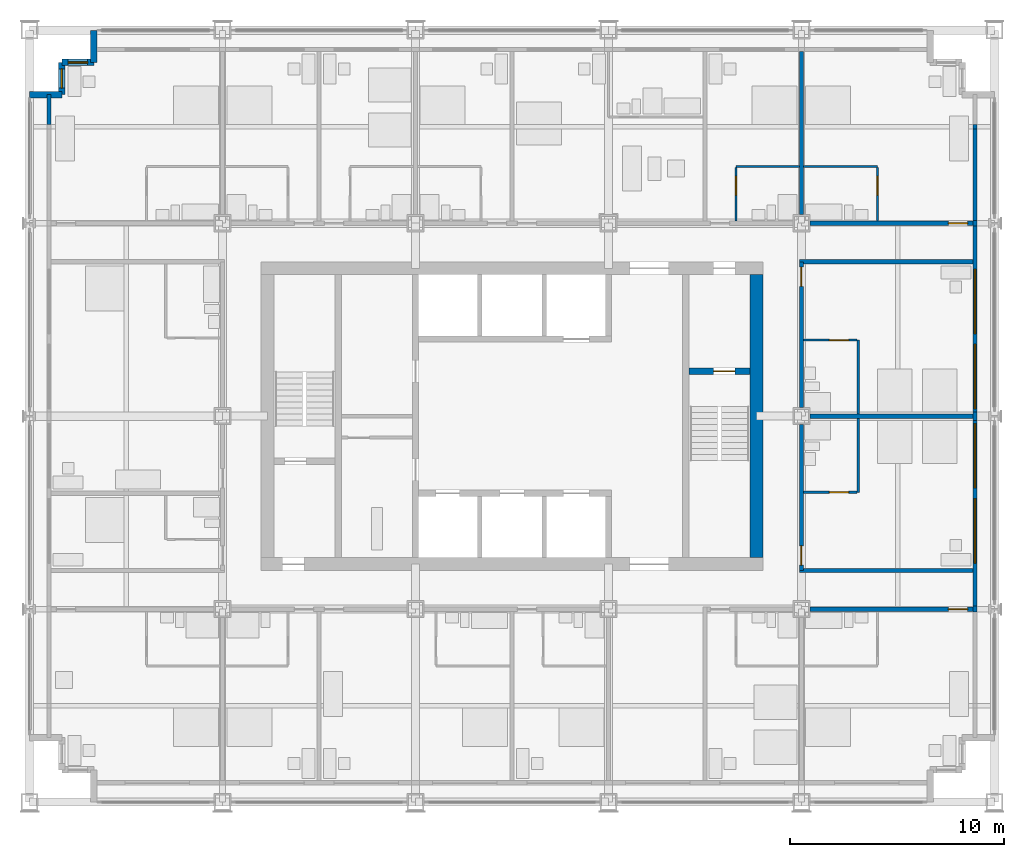
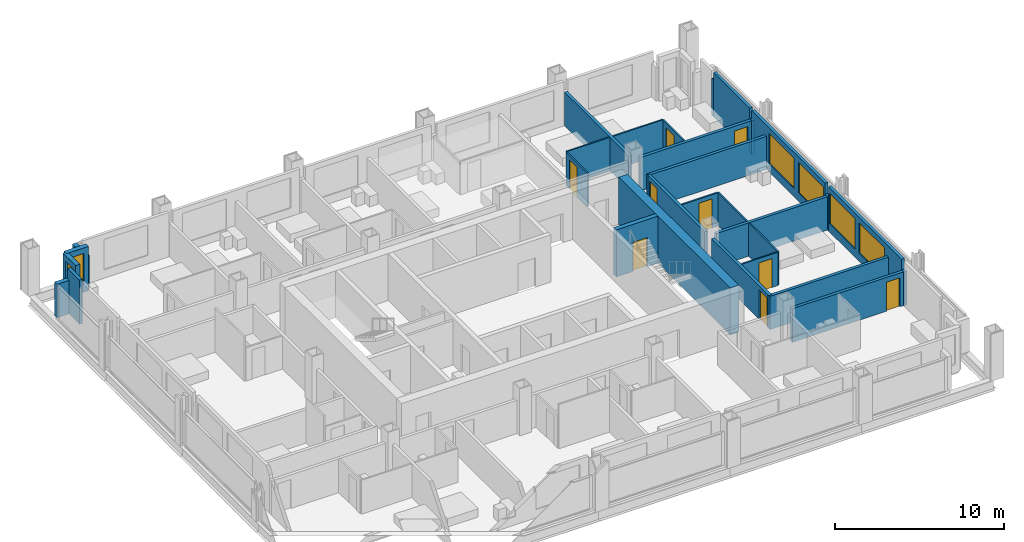
# One storey, part 12 of 16: 30 walls, 9 doors, 6 windows, 15 openings.
"""IFC4 building model written with IfcOpenShell, lengths in metres."""

from ifc_helpers import new_model, si_unit, direction, frame, frame_2d, origin, place, context, subcontext, project, spatial, rectangle, extrude, material, layer, layer_set, type_object, element, fill, save


model = new_model("IFC4")

# Units and contexts
model_context = context("Model", 3, precision=1e-05, world=origin(), true_north=direction((0.0, 1.0)))
body_context = subcontext(model_context, "Body", "Model", "MODEL_VIEW")
ifc_project = project(units=[si_unit("LENGTHUNIT", "METRE"), si_unit("AREAUNIT", "SQUARE_METRE"), si_unit("VOLUMEUNIT", "CUBIC_METRE"), si_unit("PLANEANGLEUNIT", "RADIAN"), si_unit("MASSUNIT", "GRAM", prefix="KILO")], contexts=[model_context])

# Site, building, storey
site_placement = place(None, origin())
site = spatial("IfcSite", under=ifc_project, at=site_placement, CompositionType="ELEMENT")
building_placement = place(site_placement, origin())
building = spatial("IfcBuilding", under=site, at=building_placement, Name="Loomwork Tower", CompositionType="ELEMENT")
storey_placement = place(building_placement, frame((0.0, 0.0, 104.39990234375)))
storey = spatial("IfcBuildingStorey", under=building, at=storey_placement, Name="L27", CompositionType="ELEMENT", Elevation=104.39990234375)

# Wall, opening, door
ifc_material_1 = material(Name="Concrete 14000 psi (97 MPa)", Category="concrete")
ifc_layer_1 = layer(ifc_material_1, 0.300048828125)
ifc_layer_set_1 = layer_set([ifc_layer_1], Name="Core shear wall 300")
wall_type_1 = type_object("IfcWallType", Name="Core shear wall 300", PredefinedType="SHEAR", material=ifc_layer_set_1)
wall_1_placement = place(storey_placement, frame((30.75, 20.10009765625, 0.0), z_axis=(0.0, 0.0, 1.0), x_axis=(1.0, 0.0, 0.0)))
wall_1 = element("IfcWall", 1, at=wall_1_placement, inside=storey, type_object=wall_type_1, Name="Stair B north wall L27", PredefinedType="SHEAR", context=body_context, shape_type="SweptSolid", body=[
    extrude(rectangle(XDim=2.85009765625, YDim=0.300048828125, at=frame_2d((1.425048828125, 0.0))), origin(), (0.0, 0.0, 1.0), 3.400146484375),
])
opening_1_placement = place(wall_1_placement, frame((1.14990234375, 0.0, 0.0)))
opening_1 = element("IfcOpeningElement", 2, at=opening_1_placement, cuts=wall_1, Name="Opening D4", PredefinedType="OPENING", context=body_context, shape_type="SweptSolid", body=[
    extrude(rectangle(XDim=1.0, YDim=2.10009765625, at=frame_2d((0.5, 1.050048828125))), frame((0.0, 0.159912109375, 0.0), z_axis=(0.0, -1.0, 0.0), x_axis=(1.0, 0.0, 0.0)), (0.0, 0.0, 1.0), 0.320068359375),
])
ifc_material_2 = material(Name="Hollow metal door and frame")
door_type_1 = type_object("IfcDoorType", Name="Stair door 1000", OperationType="SINGLE_SWING_RIGHT", PredefinedType="DOOR", material=ifc_material_2)
door_1_placement = place(opening_1_placement, frame((1.0, 0.0, 0.0), z_axis=(0.0, 0.0, 1.0), x_axis=(-1.0, 0.0, 0.0)))
door_1 = element("IfcDoor", 3, at=door_1_placement, inside=storey, type_object=door_type_1, Name="Stair B door", OperationType="SINGLE_SWING_LEFT", OverallHeight=2.10009765625, OverallWidth=1.0, PredefinedType="DOOR", context=body_context, shape_type="SweptSolid", body=[
    extrude(rectangle(XDim=1.0, YDim=2.10009765625, at=frame_2d((0.5, 1.050048828125))), frame((0.0, 0.02490234375, 0.0), z_axis=(0.0, -1.0, 0.0), x_axis=(1.0, 0.0, 0.0)), (0.0, 0.0, 1.0), 0.050048828125),
])
fill(opening_1, door_1)

# Wall
ifc_material_3 = material(Name="Concrete 14000 psi (97 MPa)", Category="concrete")
ifc_layer_2 = layer(ifc_material_3, 0.60009765625)
ifc_layer_set_2 = layer_set([ifc_layer_2], Name="Core shear wall 600")
wall_type_2 = type_object("IfcWallType", Name="Core shear wall 600", PredefinedType="SHEAR", material=ifc_layer_set_2)
wall_2_placement = place(storey_placement, frame((33.89990234375, 11.39990234375, 0.0), z_axis=(0.0, 0.0, 1.0), x_axis=(0.0, 1.0, 0.0)))
element("IfcWall", 4, at=wall_2_placement, inside=storey, type_object=wall_type_2, Name="Core wall east L27", PredefinedType="SHEAR", context=body_context, shape_type="SweptSolid", body=[
    extrude(rectangle(XDim=13.2001953125, YDim=0.60009765625, at=frame_2d((6.60009765625, 0.0))), origin(), (0.0, 0.0, 1.0), 3.400146484375),
])

# Wall, opening, door
ifc_material_4 = material(Name="Gypsum board on steel studs, one-hour", Category="steel")
ifc_layer_3 = layer(ifc_material_4, 0.199951171875)
ifc_layer_set_3 = layer_set([ifc_layer_3], Name="Corridor wall 200")
wall_type_3 = type_object("IfcWallType", Name="Corridor wall 200", PredefinedType="PARTITIONING", material=ifc_layer_set_3)
wall_3_placement = place(storey_placement, frame((36.39990234375, 9.0, 0.0), z_axis=(0.0, 0.0, 1.0), x_axis=(1.0, 0.0, 0.0)))
wall_3 = element("IfcWall", 5, at=wall_3_placement, inside=storey, type_object=wall_type_3, Name="South corridor wall 5", PredefinedType="PARTITIONING", context=body_context, shape_type="SweptSolid", body=[
    extrude(rectangle(XDim=7.60009765625, YDim=0.199951171875, at=frame_2d((3.800048828125, 0.0))), origin(), (0.0, 0.0, 1.0), 2.43798828125),
])
opening_2_placement = place(wall_3_placement, frame((6.449951171875, 0.0, 0.0)))
opening_2 = element("IfcOpeningElement", 6, at=opening_2_placement, cuts=wall_3, Name="Opening D1", PredefinedType="OPENING", context=body_context, shape_type="SweptSolid", body=[
    extrude(rectangle(XDim=0.89990234375, YDim=2.10009765625, at=frame_2d((0.449951171875, 1.050048828125))), frame((0.0, 0.10986328125, 0.0), z_axis=(0.0, -1.0, 0.0), x_axis=(1.0, 0.0, 0.0)), (0.0, 0.0, 1.0), 0.219970703125),
])
ifc_material_5 = material(Name="Hollow metal door and frame")
door_type_2 = type_object("IfcDoorType", Name="Guest room entry door 900", OperationType="SINGLE_SWING_LEFT", PredefinedType="DOOR", material=ifc_material_5)
door_2_placement = place(opening_2_placement, frame((0.89990234375, 0.0, 0.0), z_axis=(0.0, 0.0, 1.0), x_axis=(-1.0, 0.0, 0.0)))
door_2 = element("IfcDoor", 7, at=door_2_placement, inside=storey, type_object=door_type_2, Name="Guest room entry door L27 6", OperationType="SINGLE_SWING_LEFT", OverallHeight=2.10009765625, OverallWidth=0.89990234375, PredefinedType="DOOR", context=body_context, shape_type="SweptSolid", body=[
    extrude(rectangle(XDim=0.89990234375, YDim=2.10009765625, at=frame_2d((0.449951171875, 1.050048828125))), frame((0.0, 0.02490234375, 0.0), z_axis=(0.0, -1.0, 0.0), x_axis=(1.0, 0.0, 0.0)), (0.0, 0.0, 1.0), 0.050048828125),
])
fill(opening_2, door_2)

wall_4_placement = place(storey_placement, frame((36.39990234375, 27.0, 0.0), z_axis=(0.0, 0.0, 1.0), x_axis=(1.0, 0.0, 0.0)))
wall_4 = element("IfcWall", 8, at=wall_4_placement, inside=storey, type_object=wall_type_3, Name="North corridor wall 5", PredefinedType="PARTITIONING", context=body_context, shape_type="SweptSolid", body=[
    extrude(rectangle(XDim=7.60009765625, YDim=0.199951171875, at=frame_2d((3.800048828125, 0.0))), origin(), (0.0, 0.0, 1.0), 2.43798828125),
])
opening_3_placement = place(wall_4_placement, frame((6.449951171875, 0.0, 0.0)))
opening_3 = element("IfcOpeningElement", 9, at=opening_3_placement, cuts=wall_4, Name="Opening D1", PredefinedType="OPENING", context=body_context, shape_type="SweptSolid", body=[
    extrude(rectangle(XDim=0.89990234375, YDim=2.10009765625, at=frame_2d((0.449951171875, 1.050048828125))), frame((0.0, 0.10986328125, 0.0), z_axis=(0.0, -1.0, 0.0), x_axis=(1.0, 0.0, 0.0)), (0.0, 0.0, 1.0), 0.219970703125),
])
door_3_placement = place(opening_3_placement, origin())
door_3 = element("IfcDoor", 10, at=door_3_placement, inside=storey, type_object=door_type_2, Name="Guest room entry door L27 13", OperationType="SINGLE_SWING_RIGHT", OverallHeight=2.10009765625, OverallWidth=0.89990234375, PredefinedType="DOOR", context=body_context, shape_type="SweptSolid", body=[
    extrude(rectangle(XDim=0.89990234375, YDim=2.10009765625, at=frame_2d((0.449951171875, 1.050048828125))), frame((0.0, 0.02490234375, 0.0), z_axis=(0.0, -1.0, 0.0), x_axis=(1.0, 0.0, 0.0)), (0.0, 0.0, 1.0), 0.050048828125),
])
fill(opening_3, door_3)

wall_5_placement = place(storey_placement, frame((36.0, 10.800048828125, 0.0), z_axis=(0.0, 0.0, 1.0), x_axis=(0.0, 1.0, 0.0)))
wall_5 = element("IfcWall", 11, at=wall_5_placement, inside=storey, type_object=wall_type_3, Name="East corridor wall 1", PredefinedType="PARTITIONING", context=body_context, shape_type="SweptSolid", body=[
    extrude(rectangle(XDim=6.800048828125, YDim=0.199951171875, at=frame_2d((3.39990234375, 0.0))), origin(), (0.0, 0.0, 1.0), 2.405029296875),
])
opening_4_placement = place(wall_5_placement, frame((0.25, 0.0, 0.0)))
opening_4 = element("IfcOpeningElement", 12, at=opening_4_placement, cuts=wall_5, Name="Opening D1", PredefinedType="OPENING", context=body_context, shape_type="SweptSolid", body=[
    extrude(rectangle(XDim=0.89990234375, YDim=2.10009765625, at=frame_2d((0.449951171875, 1.050048828125))), frame((0.0, 0.10986328125, 0.0), z_axis=(0.0, -1.0, 0.0), x_axis=(1.0, 0.0, 0.0)), (0.0, 0.0, 1.0), 0.219970703125),
])
door_4_placement = place(opening_4_placement, frame((0.89990234375, 0.0, 0.0), z_axis=(0.0, 0.0, 1.0), x_axis=(-1.0, 0.0, 0.0)))
door_4 = element("IfcDoor", 13, at=door_4_placement, inside=storey, type_object=door_type_2, Name="Guest room entry door L27 16", OperationType="SINGLE_SWING_RIGHT", OverallHeight=2.10009765625, OverallWidth=0.89990234375, PredefinedType="DOOR", context=body_context, shape_type="SweptSolid", body=[
    extrude(rectangle(XDim=0.89990234375, YDim=2.10009765625, at=frame_2d((0.449951171875, 1.050048828125))), frame((0.0, 0.02490234375, 0.0), z_axis=(0.0, -1.0, 0.0), x_axis=(1.0, 0.0, 0.0)), (0.0, 0.0, 1.0), 0.050048828125),
])
fill(opening_4, door_4)

wall_6_placement = place(storey_placement, frame((36.0, 18.39990234375, 0.0), z_axis=(0.0, 0.0, 1.0), x_axis=(0.0, 1.0, 0.0)))
wall_6 = element("IfcWall", 14, at=wall_6_placement, inside=storey, type_object=wall_type_3, Name="East corridor wall 2", PredefinedType="PARTITIONING", context=body_context, shape_type="SweptSolid", body=[
    extrude(rectangle(XDim=6.800048828125, YDim=0.199951171875, at=frame_2d((3.39990234375, 0.0))), origin(), (0.0, 0.0, 1.0), 2.405029296875),
])
opening_5_placement = place(wall_6_placement, frame((5.64990234375, 0.0, 0.0)))
opening_5 = element("IfcOpeningElement", 15, at=opening_5_placement, cuts=wall_6, Name="Opening D1", PredefinedType="OPENING", context=body_context, shape_type="SweptSolid", body=[
    extrude(rectangle(XDim=0.89990234375, YDim=2.10009765625, at=frame_2d((0.449951171875, 1.050048828125))), frame((0.0, 0.10986328125, 0.0), z_axis=(0.0, -1.0, 0.0), x_axis=(1.0, 0.0, 0.0)), (0.0, 0.0, 1.0), 0.219970703125),
])
door_5_placement = place(opening_5_placement, frame((0.89990234375, 0.0, 0.0), z_axis=(0.0, 0.0, 1.0), x_axis=(-1.0, 0.0, 0.0)))
door_5 = element("IfcDoor", 16, at=door_5_placement, inside=storey, type_object=door_type_2, Name="Guest room entry door L27 17", OperationType="SINGLE_SWING_LEFT", OverallHeight=2.10009765625, OverallWidth=0.89990234375, PredefinedType="DOOR", context=body_context, shape_type="SweptSolid", body=[
    extrude(rectangle(XDim=0.89990234375, YDim=2.10009765625, at=frame_2d((0.449951171875, 1.050048828125))), frame((0.0, 0.02490234375, 0.0), z_axis=(0.0, -1.0, 0.0), x_axis=(1.0, 0.0, 0.0)), (0.0, 0.0, 1.0), 0.050048828125),
])
fill(opening_5, door_5)

# Walls
for number, where, z_axis, x_axis, name in (
    (17, (35.89990234375, 10.800048828125, 0.0), (0.0, 0.0, 1.0), (1.0, 0.0, 0.0), "East band end wall S"),
    (18, (35.89990234375, 25.199951171875, 0.0), (0.0, 0.0, 1.0), (1.0, 0.0, 0.0), "East band end wall N"),
):
    element("IfcWall", number, at=place(storey_placement, frame(where, z_axis=z_axis, x_axis=x_axis)), inside=storey, type_object=wall_type_3, Name=name, PredefinedType="PARTITIONING", context=body_context, shape_type="SweptSolid", body=[
        extrude(rectangle(XDim=8.10009765625, YDim=0.199951171875, at=frame_2d((4.050048828125, 0.0))), origin(), (0.0, 0.0, 1.0), 2.404052734375),
    ])
ifc_material_6 = material(Name="Cement board on steel studs", Category="steel")
ifc_layer_4 = layer(ifc_material_6, 0.10009765625)
ifc_layer_set_4 = layer_set([ifc_layer_4], Name="En-suite partition 100")
wall_type_4 = type_object("IfcWallType", Name="En-suite partition 100", PredefinedType="PARTITIONING", material=ifc_layer_set_4)
wall_7_placement = place(storey_placement, frame((32.949951171875, 29.64990234375, 0.0), z_axis=(0.0, 0.0, 1.0), x_axis=(1.0, 0.0, 0.0)))
element("IfcWall", 19, at=wall_7_placement, inside=storey, type_object=wall_type_4, Name="En-suite wall L27 room 12", PredefinedType="PARTITIONING", context=body_context, shape_type="SweptSolid", body=[
    extrude(rectangle(XDim=2.949951171875, YDim=0.10009765625, at=frame_2d((1.47509765625, 0.0))), origin(), (0.0, 0.0, 1.0), 2.43798828125),
])

# Wall, opening, door
wall_8_placement = place(storey_placement, frame((32.949951171875, 27.10009765625, 0.0), z_axis=(0.0, 0.0, 1.0), x_axis=(0.0, 1.0, 0.0)))
wall_8 = element("IfcWall", 20, at=wall_8_placement, inside=storey, type_object=wall_type_4, Name="En-suite side wall L27 room 12", PredefinedType="PARTITIONING", context=body_context, shape_type="SweptSolid", body=[
    extrude(rectangle(XDim=2.5, YDim=0.10009765625, at=frame_2d((1.25, 0.0))), origin(), (0.0, 0.0, 1.0), 2.404052734375),
])
opening_6_placement = place(wall_8_placement, frame((1.199951171875, 0.0, 0.0)))
opening_6 = element("IfcOpeningElement", 21, at=opening_6_placement, cuts=wall_8, Name="Opening D2", PredefinedType="OPENING", context=body_context, shape_type="SweptSolid", body=[
    extrude(rectangle(XDim=0.89990234375, YDim=2.10009765625, at=frame_2d((0.449951171875, 1.050048828125))), frame((0.0, 0.06005859375, 0.0), z_axis=(0.0, -1.0, 0.0), x_axis=(1.0, 0.0, 0.0)), (0.0, 0.0, 1.0), 0.1201171875),
])
ifc_material_7 = material(Name="Hollow metal door and frame")
door_type_3 = type_object("IfcDoorType", Name="En-suite door 900", OperationType="SINGLE_SWING_LEFT", PredefinedType="DOOR", material=ifc_material_7)
door_6_placement = place(opening_6_placement, frame((0.89990234375, 0.0, 0.0), z_axis=(0.0, 0.0, 1.0), x_axis=(-1.0, 0.0, 0.0)))
door_6 = element("IfcDoor", 22, at=door_6_placement, inside=storey, type_object=door_type_3, Name="En-suite door room 12", OperationType="SINGLE_SWING_LEFT", OverallHeight=2.10009765625, OverallWidth=0.89990234375, PredefinedType="DOOR", context=body_context, shape_type="SweptSolid", body=[
    extrude(rectangle(XDim=0.89990234375, YDim=2.10009765625, at=frame_2d((0.449951171875, 1.050048828125))), frame((0.0, 0.02490234375, 0.0), z_axis=(0.0, -1.0, 0.0), x_axis=(1.0, 0.0, 0.0)), (0.0, 0.0, 1.0), 0.050048828125),
])
fill(opening_6, door_6)

# Wall
wall_9_placement = place(storey_placement, frame((36.10009765625, 29.64990234375, 0.0), z_axis=(0.0, 0.0, 1.0), x_axis=(1.0, 0.0, 0.0)))
element("IfcWall", 23, at=wall_9_placement, inside=storey, type_object=wall_type_4, Name="En-suite wall L27 room 13", PredefinedType="PARTITIONING", context=body_context, shape_type="SweptSolid", body=[
    extrude(rectangle(XDim=3.449951171875, YDim=0.10009765625, at=frame_2d((1.72509765625, 0.0))), origin(), (0.0, 0.0, 1.0), 2.43798828125),
])

# Wall, opening, door
wall_10_placement = place(storey_placement, frame((39.550048828125, 27.10009765625, 0.0), z_axis=(0.0, 0.0, 1.0), x_axis=(0.0, 1.0, 0.0)))
wall_10 = element("IfcWall", 24, at=wall_10_placement, inside=storey, type_object=wall_type_4, Name="En-suite side wall L27 room 13", PredefinedType="PARTITIONING", context=body_context, shape_type="SweptSolid", body=[
    extrude(rectangle(XDim=2.5, YDim=0.10009765625, at=frame_2d((1.25, 0.0))), origin(), (0.0, 0.0, 1.0), 2.43798828125),
])
opening_7_placement = place(wall_10_placement, frame((1.199951171875, 0.0, 0.0)))
opening_7 = element("IfcOpeningElement", 25, at=opening_7_placement, cuts=wall_10, Name="Opening D2", PredefinedType="OPENING", context=body_context, shape_type="SweptSolid", body=[
    extrude(rectangle(XDim=0.89990234375, YDim=2.10009765625, at=frame_2d((0.449951171875, 1.050048828125))), frame((0.0, 0.06005859375, 0.0), z_axis=(0.0, -1.0, 0.0), x_axis=(1.0, 0.0, 0.0)), (0.0, 0.0, 1.0), 0.1201171875),
])
door_7_placement = place(opening_7_placement, origin())
door_7 = element("IfcDoor", 26, at=door_7_placement, inside=storey, type_object=door_type_3, Name="En-suite door room 13", OperationType="SINGLE_SWING_RIGHT", OverallHeight=2.10009765625, OverallWidth=0.89990234375, PredefinedType="DOOR", context=body_context, shape_type="SweptSolid", body=[
    extrude(rectangle(XDim=0.89990234375, YDim=2.10009765625, at=frame_2d((0.449951171875, 1.050048828125))), frame((0.0, 0.02490234375, 0.0), z_axis=(0.0, -1.0, 0.0), x_axis=(1.0, 0.0, 0.0)), (0.0, 0.0, 1.0), 0.050048828125),
])
fill(opening_7, door_7)

# Wall
wall_11_placement = place(storey_placement, frame((38.64990234375, 14.449951171875, 0.0), z_axis=(0.0, 0.0, 1.0), x_axis=(0.0, 1.0, 0.0)))
element("IfcWall", 27, at=wall_11_placement, inside=storey, type_object=wall_type_4, Name="En-suite wall L27 room 16", PredefinedType="PARTITIONING", context=body_context, shape_type="SweptSolid", body=[
    extrude(rectangle(XDim=3.449951171875, YDim=0.10009765625, at=frame_2d((1.72509765625, 0.0))), origin(), (0.0, 0.0, 1.0), 2.404052734375),
])

# Wall, opening, door
wall_12_placement = place(storey_placement, frame((36.10009765625, 14.449951171875, 0.0), z_axis=(0.0, 0.0, 1.0), x_axis=(1.0, 0.0, 0.0)))
wall_12 = element("IfcWall", 28, at=wall_12_placement, inside=storey, type_object=wall_type_4, Name="En-suite side wall L27 room 16", PredefinedType="PARTITIONING", context=body_context, shape_type="SweptSolid", body=[
    extrude(rectangle(XDim=2.5, YDim=0.10009765625, at=frame_2d((1.25, 0.0))), origin(), (0.0, 0.0, 1.0), 2.404052734375),
])
opening_8_placement = place(wall_12_placement, frame((1.199951171875, 0.0, 0.0)))
opening_8 = element("IfcOpeningElement", 29, at=opening_8_placement, cuts=wall_12, Name="Opening D2", PredefinedType="OPENING", context=body_context, shape_type="SweptSolid", body=[
    extrude(rectangle(XDim=0.89990234375, YDim=2.10009765625, at=frame_2d((0.449951171875, 1.050048828125))), frame((0.0, 0.06005859375, 0.0), z_axis=(0.0, -1.0, 0.0), x_axis=(1.0, 0.0, 0.0)), (0.0, 0.0, 1.0), 0.1201171875),
])
door_8_placement = place(opening_8_placement, origin())
door_8 = element("IfcDoor", 30, at=door_8_placement, inside=storey, type_object=door_type_3, Name="En-suite door room 16", OperationType="SINGLE_SWING_RIGHT", OverallHeight=2.10009765625, OverallWidth=0.89990234375, PredefinedType="DOOR", context=body_context, shape_type="SweptSolid", body=[
    extrude(rectangle(XDim=0.89990234375, YDim=2.10009765625, at=frame_2d((0.449951171875, 1.050048828125))), frame((0.0, 0.02490234375, 0.0), z_axis=(0.0, -1.0, 0.0), x_axis=(1.0, 0.0, 0.0)), (0.0, 0.0, 1.0), 0.050048828125),
])
fill(opening_8, door_8)

# Wall
wall_13_placement = place(storey_placement, frame((38.64990234375, 18.10009765625, 0.0), z_axis=(0.0, 0.0, 1.0), x_axis=(0.0, 1.0, 0.0)))
element("IfcWall", 31, at=wall_13_placement, inside=storey, type_object=wall_type_4, Name="En-suite wall L27 room 17", PredefinedType="PARTITIONING", context=body_context, shape_type="SweptSolid", body=[
    extrude(rectangle(XDim=3.449951171875, YDim=0.10009765625, at=frame_2d((1.72509765625, 0.0))), origin(), (0.0, 0.0, 1.0), 2.404052734375),
])

# Wall, opening, door
wall_14_placement = place(storey_placement, frame((36.10009765625, 21.550048828125, 0.0), z_axis=(0.0, 0.0, 1.0), x_axis=(1.0, 0.0, 0.0)))
wall_14 = element("IfcWall", 32, at=wall_14_placement, inside=storey, type_object=wall_type_4, Name="En-suite side wall L27 room 17", PredefinedType="PARTITIONING", context=body_context, shape_type="SweptSolid", body=[
    extrude(rectangle(XDim=2.5, YDim=0.10009765625, at=frame_2d((1.25, 0.0))), origin(), (0.0, 0.0, 1.0), 2.404052734375),
])
opening_9_placement = place(wall_14_placement, frame((1.199951171875, 0.0, 0.0)))
opening_9 = element("IfcOpeningElement", 33, at=opening_9_placement, cuts=wall_14, Name="Opening D2", PredefinedType="OPENING", context=body_context, shape_type="SweptSolid", body=[
    extrude(rectangle(XDim=0.89990234375, YDim=2.10009765625, at=frame_2d((0.449951171875, 1.050048828125))), frame((0.0, 0.06005859375, 0.0), z_axis=(0.0, -1.0, 0.0), x_axis=(1.0, 0.0, 0.0)), (0.0, 0.0, 1.0), 0.1201171875),
])
door_9_placement = place(opening_9_placement, frame((0.89990234375, 0.0, 0.0), z_axis=(0.0, 0.0, 1.0), x_axis=(-1.0, 0.0, 0.0)))
door_9 = element("IfcDoor", 34, at=door_9_placement, inside=storey, type_object=door_type_3, Name="En-suite door room 17", OperationType="SINGLE_SWING_LEFT", OverallHeight=2.10009765625, OverallWidth=0.89990234375, PredefinedType="DOOR", context=body_context, shape_type="SweptSolid", body=[
    extrude(rectangle(XDim=0.89990234375, YDim=2.10009765625, at=frame_2d((0.449951171875, 1.050048828125))), frame((0.0, 0.02490234375, 0.0), z_axis=(0.0, -1.0, 0.0), x_axis=(1.0, 0.0, 0.0)), (0.0, 0.0, 1.0), 0.050048828125),
])
fill(opening_9, door_9)

# Walls
ifc_material_8 = material(Name="Gypsum board on steel studs, acoustic", Category="steel")
ifc_layer_5 = layer(ifc_material_8, 0.199951171875)
ifc_layer_set_5 = layer_set([ifc_layer_5], Name="Guest room party wall 200")
wall_type_5 = type_object("IfcWallType", Name="Guest room party wall 200", PredefinedType="PARTITIONING", material=ifc_layer_set_5)
wall_15_placement = place(storey_placement, frame((36.0, 27.39990234375, 0.0), z_axis=(0.0, 0.0, 1.0), x_axis=(0.0, 1.0, 0.0)))
element("IfcWall", 35, at=wall_15_placement, inside=storey, type_object=wall_type_5, Name="Guest room party wall N 36", PredefinedType="PARTITIONING", context=body_context, shape_type="SweptSolid", body=[
    extrude(rectangle(XDim=7.60009765625, YDim=0.199951171875, at=frame_2d((3.800048828125, 0.0))), origin(), (0.0, 0.0, 1.0), 2.43798828125),
])
wall_16_placement = place(storey_placement, frame((36.39990234375, 18.0, 0.0), z_axis=(0.0, 0.0, 1.0), x_axis=(1.0, 0.0, 0.0)))
element("IfcWall", 36, at=wall_16_placement, inside=storey, type_object=wall_type_5, Name="Guest room party wall E 18", PredefinedType="PARTITIONING", context=body_context, shape_type="SweptSolid", body=[
    extrude(rectangle(XDim=7.60009765625, YDim=0.199951171875, at=frame_2d((3.800048828125, 0.0))), origin(), (0.0, 0.0, 1.0), 2.405029296875),
])
ifc_material_9 = material(Name="Insulated steel stud wall with gypsum lining", Category="steel")
ifc_layer_6 = layer(ifc_material_9, 0.199951171875)
ifc_layer_set_6 = layer_set([ifc_layer_6], Name="Inner skin wall 200")
wall_type_6 = type_object("IfcWallType", Name="Inner skin wall 200", PredefinedType="SOLIDWALL", material=ifc_layer_set_6)
wall_17_placement = place(storey_placement, frame((0.89990234375, 31.607421875, 0.0), z_axis=(0.0, 0.0, 1.0), x_axis=(0.0, 1.0, 0.0)))
element("IfcWall", 37, at=wall_17_placement, inside=storey, type_object=wall_type_6, Name="Inner skin wall W bay 11", PredefinedType="SOLIDWALL", context=body_context, shape_type="SweptSolid", body=[
    extrude(rectangle(XDim=1.392578125, YDim=0.199951171875, at=frame_2d((0.6962890625, 0.0))), origin(), (0.0, 0.0, 1.0), 3.2001953125),
])
wall_18_placement = place(storey_placement, frame((44.10009765625, 8.86474609375, 0.0), z_axis=(0.0, 0.0, 1.0), x_axis=(0.0, 1.0, 0.0)))
element("IfcWall", 38, at=wall_18_placement, inside=storey, type_object=wall_type_6, Name="Inner skin wall E bay 4", PredefinedType="SOLIDWALL", context=body_context, shape_type="SweptSolid", body=[
    extrude(rectangle(XDim=0.2705078125, YDim=0.199951171875, at=frame_2d((0.13525390625, 0.0))), origin(), (0.0, 0.0, 1.0), 2.43798828125),
])

# Wall, openings, windows
wall_19_placement = place(storey_placement, frame((44.10009765625, 9.13525390625, 0.0), z_axis=(0.0, 0.0, 1.0), x_axis=(0.0, 1.0, 0.0)))
wall_19 = element("IfcWall", 39, at=wall_19_placement, inside=storey, type_object=wall_type_6, Name="Inner skin wall E bay 5", PredefinedType="SOLIDWALL", context=body_context, shape_type="SweptSolid", body=[
    extrude(rectangle(XDim=8.6708984375, YDim=0.199951171875, at=frame_2d((4.33544921875, 0.0))), origin(), (0.0, 0.0, 1.0), 3.2001953125),
])
opening_10_placement = place(wall_19_placement, frame((2.0146484375, 0.0, 0.60009765625)))
opening_10 = element("IfcOpeningElement", 40, at=opening_10_placement, cuts=wall_19, Name="Opening CH1", PredefinedType="OPENING", context=body_context, shape_type="SweptSolid", body=[
    extrude(rectangle(XDim=3.0, YDim=2.199951171875, at=frame_2d((1.5, 1.10009765625))), frame((0.0, 0.10986328125, 0.0), z_axis=(0.0, -1.0, 0.0), x_axis=(1.0, 0.0, 0.0)), (0.0, 0.0, 1.0), 0.219970703125),
])
opening_11_placement = place(wall_19_placement, frame((5.5146484375, 0.0, 0.60009765625)))
opening_11 = element("IfcOpeningElement", 41, at=opening_11_placement, cuts=wall_19, Name="Opening CH1", PredefinedType="OPENING", context=body_context, shape_type="SweptSolid", body=[
    extrude(rectangle(XDim=3.0, YDim=2.199951171875, at=frame_2d((1.5, 1.10009765625))), frame((0.0, 0.10986328125, 0.0), z_axis=(0.0, -1.0, 0.0), x_axis=(1.0, 0.0, 0.0)), (0.0, 0.0, 1.0), 0.219970703125),
])
ifc_material_10 = material(Name="Aluminium frame with clear insulated glass", Category="aluminium")
window_type_1 = type_object("IfcWindowType", Name="Chicago window 3000", PartitioningType="TRIPLE_PANEL_VERTICAL", PredefinedType="WINDOW", material=ifc_material_10)
window_1_placement = place(opening_10_placement, origin())
window_1 = element("IfcWindow", 42, at=window_1_placement, inside=storey, type_object=window_type_1, Name="Chicago window L27 bay 13", OverallHeight=2.199951171875, OverallWidth=3.0, PartitioningType="TRIPLE_PANEL_VERTICAL", PredefinedType="WINDOW", context=body_context, shape_type="SweptSolid", body=[
    extrude(rectangle(XDim=3.0, YDim=2.199951171875, at=frame_2d((1.5, 1.10009765625))), frame((0.0, 0.030029296875, 0.0), z_axis=(0.0, -1.0, 0.0), x_axis=(1.0, 0.0, 0.0)), (0.0, 0.0, 1.0), 0.06005859375),
])
fill(opening_10, window_1)
window_2_placement = place(opening_11_placement, origin())
window_2 = element("IfcWindow", 43, at=window_2_placement, inside=storey, type_object=window_type_1, Name="Chicago window L27 bay 13", OverallHeight=2.199951171875, OverallWidth=3.0, PartitioningType="TRIPLE_PANEL_VERTICAL", PredefinedType="WINDOW", context=body_context, shape_type="SweptSolid", body=[
    extrude(rectangle(XDim=3.0, YDim=2.199951171875, at=frame_2d((1.5, 1.10009765625))), frame((0.0, 0.030029296875, 0.0), z_axis=(0.0, -1.0, 0.0), x_axis=(1.0, 0.0, 0.0)), (0.0, 0.0, 1.0), 0.06005859375),
])
fill(opening_11, window_2)

# Wall
wall_20_placement = place(storey_placement, frame((44.10009765625, 17.80615234375, 0.0), z_axis=(0.0, 0.0, 1.0), x_axis=(0.0, 1.0, 0.0)))
element("IfcWall", 44, at=wall_20_placement, inside=storey, type_object=wall_type_6, Name="Inner skin wall E bay 6", PredefinedType="SOLIDWALL", context=body_context, shape_type="SweptSolid", body=[
    extrude(rectangle(XDim=0.3876953125, YDim=0.199951171875, at=frame_2d((0.19384765625, 0.0))), origin(), (0.0, 0.0, 1.0), 2.404052734375),
])

# Wall, openings, windows
wall_21_placement = place(storey_placement, frame((44.10009765625, 18.19384765625, 0.0), z_axis=(0.0, 0.0, 1.0), x_axis=(0.0, 1.0, 0.0)))
wall_21 = element("IfcWall", 45, at=wall_21_placement, inside=storey, type_object=wall_type_6, Name="Inner skin wall E bay 7", PredefinedType="SOLIDWALL", context=body_context, shape_type="SweptSolid", body=[
    extrude(rectangle(XDim=8.6708984375, YDim=0.199951171875, at=frame_2d((4.33544921875, 0.0))), origin(), (0.0, 0.0, 1.0), 3.2001953125),
])
opening_12_placement = place(wall_21_placement, frame((0.15625, 0.0, 0.60009765625)))
opening_12 = element("IfcOpeningElement", 46, at=opening_12_placement, cuts=wall_21, Name="Opening CH1", PredefinedType="OPENING", context=body_context, shape_type="SweptSolid", body=[
    extrude(rectangle(XDim=3.0, YDim=2.199951171875, at=frame_2d((1.5, 1.10009765625))), frame((0.0, 0.10986328125, 0.0), z_axis=(0.0, -1.0, 0.0), x_axis=(1.0, 0.0, 0.0)), (0.0, 0.0, 1.0), 0.219970703125),
])
opening_13_placement = place(wall_21_placement, frame((3.65625, 0.0, 0.60009765625)))
opening_13 = element("IfcOpeningElement", 47, at=opening_13_placement, cuts=wall_21, Name="Opening CH1", PredefinedType="OPENING", context=body_context, shape_type="SweptSolid", body=[
    extrude(rectangle(XDim=3.0, YDim=2.199951171875, at=frame_2d((1.5, 1.10009765625))), frame((0.0, 0.10986328125, 0.0), z_axis=(0.0, -1.0, 0.0), x_axis=(1.0, 0.0, 0.0)), (0.0, 0.0, 1.0), 0.219970703125),
])
window_3_placement = place(opening_12_placement, origin())
window_3 = element("IfcWindow", 48, at=window_3_placement, inside=storey, type_object=window_type_1, Name="Chicago window L27 bay 14", OverallHeight=2.199951171875, OverallWidth=3.0, PartitioningType="TRIPLE_PANEL_VERTICAL", PredefinedType="WINDOW", context=body_context, shape_type="SweptSolid", body=[
    extrude(rectangle(XDim=3.0, YDim=2.199951171875, at=frame_2d((1.5, 1.10009765625))), frame((0.0, 0.030029296875, 0.0), z_axis=(0.0, -1.0, 0.0), x_axis=(1.0, 0.0, 0.0)), (0.0, 0.0, 1.0), 0.06005859375),
])
fill(opening_12, window_3)
window_4_placement = place(opening_13_placement, origin())
window_4 = element("IfcWindow", 49, at=window_4_placement, inside=storey, type_object=window_type_1, Name="Chicago window L27 bay 14", OverallHeight=2.199951171875, OverallWidth=3.0, PartitioningType="TRIPLE_PANEL_VERTICAL", PredefinedType="WINDOW", context=body_context, shape_type="SweptSolid", body=[
    extrude(rectangle(XDim=3.0, YDim=2.199951171875, at=frame_2d((1.5, 1.10009765625))), frame((0.0, 0.030029296875, 0.0), z_axis=(0.0, -1.0, 0.0), x_axis=(1.0, 0.0, 0.0)), (0.0, 0.0, 1.0), 0.06005859375),
])
fill(opening_13, window_4)

# Walls
wall_22_placement = place(storey_placement, frame((44.10009765625, 26.86474609375, 0.0), z_axis=(0.0, 0.0, 1.0), x_axis=(0.0, 1.0, 0.0)))
element("IfcWall", 50, at=wall_22_placement, inside=storey, type_object=wall_type_6, Name="Inner skin wall E bay 8", PredefinedType="SOLIDWALL", context=body_context, shape_type="SweptSolid", body=[
    extrude(rectangle(XDim=0.2705078125, YDim=0.199951171875, at=frame_2d((0.13525390625, 0.0))), origin(), (0.0, 0.0, 1.0), 2.43798828125),
])
wall_23_placement = place(storey_placement, frame((44.10009765625, 27.13525390625, 0.0), z_axis=(0.0, 0.0, 1.0), x_axis=(0.0, 1.0, 0.0)))
element("IfcWall", 51, at=wall_23_placement, inside=storey, type_object=wall_type_6, Name="Inner skin wall E bay 9", PredefinedType="SOLIDWALL", context=body_context, shape_type="SweptSolid", body=[
    extrude(rectangle(XDim=4.25732421875, YDim=0.199951171875, at=frame_2d((2.128662109375, 0.0))), origin(), (0.0, 0.0, 1.0), 3.2001953125),
])
wall_24_placement = place(storey_placement, frame((44.10009765625, 31.392578125, 0.0), z_axis=(0.0, 0.0, 1.0), x_axis=(0.0, 1.0, 0.0)))
element("IfcWall", 52, at=wall_24_placement, inside=storey, type_object=wall_type_6, Name="Inner skin wall E bay 10", PredefinedType="SOLIDWALL", context=body_context, shape_type="SweptSolid", body=[
    extrude(rectangle(XDim=0.21484375, YDim=0.199951171875, at=frame_2d((0.107421875, 0.0))), origin(), (0.0, 0.0, 1.0), 2.6611328125),
])
ifc_material_11 = material(Name="Limestone on concrete masonry", Category="masonry")
ifc_layer_7 = layer(ifc_material_11, 0.300048828125)
ifc_layer_set_7 = layer_set([ifc_layer_7], Name="Limestone corner wall 300")
wall_type_7 = type_object("IfcWallType", Name="Limestone corner wall 300", PredefinedType="SOLIDWALL", material=ifc_layer_set_7)
wall_25_placement = place(storey_placement, frame((3.0, 36.0, 0.0), z_axis=(0.0, 0.0, 1.0), x_axis=(0.0, -1.0, 0.0)))
element("IfcWall", 53, at=wall_25_placement, inside=storey, type_object=wall_type_7, Name="Stone corner wall NW 1", PredefinedType="SOLIDWALL", context=body_context, shape_type="SweptSolid", body=[
    extrude(rectangle(XDim=1.5, YDim=0.300048828125, at=frame_2d((0.75, 0.0))), origin(), (0.0, 0.0, 1.0), 2.420166015625),
])

# Wall, opening, window
wall_26_placement = place(storey_placement, frame((3.0, 34.5, 0.0), z_axis=(0.0, 0.0, 1.0), x_axis=(-1.0, 0.0, 0.0)))
wall_26 = element("IfcWall", 54, at=wall_26_placement, inside=storey, type_object=wall_type_7, Name="Stone corner wall NW 2", PredefinedType="SOLIDWALL", context=body_context, shape_type="SweptSolid", body=[
    extrude(rectangle(XDim=1.5, YDim=0.300048828125, at=frame_2d((0.75, 0.0))), origin(), (0.0, 0.0, 1.0), 3.2001953125),
])
opening_14_placement = place(wall_26_placement, frame((0.300048828125, 0.0, 0.60009765625)))
opening_14 = element("IfcOpeningElement", 55, at=opening_14_placement, cuts=wall_26, Name="Opening CH2", PredefinedType="OPENING", context=body_context, shape_type="SweptSolid", body=[
    extrude(rectangle(XDim=0.89990234375, YDim=2.199951171875, at=frame_2d((0.449951171875, 1.10009765625))), frame((0.0, 0.159912109375, 0.0), z_axis=(0.0, -1.0, 0.0), x_axis=(1.0, 0.0, 0.0)), (0.0, 0.0, 1.0), 0.320068359375),
])
ifc_material_12 = material(Name="Aluminium frame with clear insulated glass", Category="aluminium")
window_type_2 = type_object("IfcWindowType", Name="Corner window 900", PartitioningType="SINGLE_PANEL", PredefinedType="WINDOW", material=ifc_material_12)
window_5_placement = place(opening_14_placement, origin())
window_5 = element("IfcWindow", 56, at=window_5_placement, inside=storey, type_object=window_type_2, Name="Corner window NW", OverallHeight=2.199951171875, OverallWidth=0.89990234375, PartitioningType="SINGLE_PANEL", PredefinedType="WINDOW", context=body_context, shape_type="SweptSolid", body=[
    extrude(rectangle(XDim=0.89990234375, YDim=2.199951171875, at=frame_2d((0.449951171875, 1.10009765625))), frame((0.0, 0.030029296875, 0.0), z_axis=(0.0, -1.0, 0.0), x_axis=(1.0, 0.0, 0.0)), (0.0, 0.0, 1.0), 0.06005859375),
])
fill(opening_14, window_5)

wall_27_placement = place(storey_placement, frame((1.5, 34.5, 0.0), z_axis=(0.0, 0.0, 1.0), x_axis=(0.0, -1.0, 0.0)))
wall_27 = element("IfcWall", 57, at=wall_27_placement, inside=storey, type_object=wall_type_7, Name="Stone corner wall NW 3", PredefinedType="SOLIDWALL", context=body_context, shape_type="SweptSolid", body=[
    extrude(rectangle(XDim=1.5, YDim=0.300048828125, at=frame_2d((0.75, 0.0))), origin(), (0.0, 0.0, 1.0), 3.2001953125),
])
opening_15_placement = place(wall_27_placement, frame((0.300048828125, 0.0, 0.60009765625)))
opening_15 = element("IfcOpeningElement", 58, at=opening_15_placement, cuts=wall_27, Name="Opening CH2", PredefinedType="OPENING", context=body_context, shape_type="SweptSolid", body=[
    extrude(rectangle(XDim=0.89990234375, YDim=2.199951171875, at=frame_2d((0.449951171875, 1.10009765625))), frame((0.0, 0.159912109375, 0.0), z_axis=(0.0, -1.0, 0.0), x_axis=(1.0, 0.0, 0.0)), (0.0, 0.0, 1.0), 0.320068359375),
])
window_6_placement = place(opening_15_placement, origin())
window_6 = element("IfcWindow", 59, at=window_6_placement, inside=storey, type_object=window_type_2, Name="Corner window NW", OverallHeight=2.199951171875, OverallWidth=0.89990234375, PartitioningType="SINGLE_PANEL", PredefinedType="WINDOW", context=body_context, shape_type="SweptSolid", body=[
    extrude(rectangle(XDim=0.89990234375, YDim=2.199951171875, at=frame_2d((0.449951171875, 1.10009765625))), frame((0.0, 0.030029296875, 0.0), z_axis=(0.0, -1.0, 0.0), x_axis=(1.0, 0.0, 0.0)), (0.0, 0.0, 1.0), 0.06005859375),
])
fill(opening_15, window_6)

# Wall
wall_28_placement = place(storey_placement, frame((1.5, 33.0, 0.0), z_axis=(0.0, 0.0, 1.0), x_axis=(-1.0, 0.0, 0.0)))
element("IfcWall", 60, at=wall_28_placement, inside=storey, type_object=wall_type_7, Name="Stone corner wall NW 4", PredefinedType="SOLIDWALL", context=body_context, shape_type="SweptSolid", body=[
    extrude(rectangle(XDim=1.5, YDim=0.300048828125, at=frame_2d((0.75, 0.0))), origin(), (0.0, 0.0, 1.0), 2.420166015625),
])

save(model, "model.ifc")
